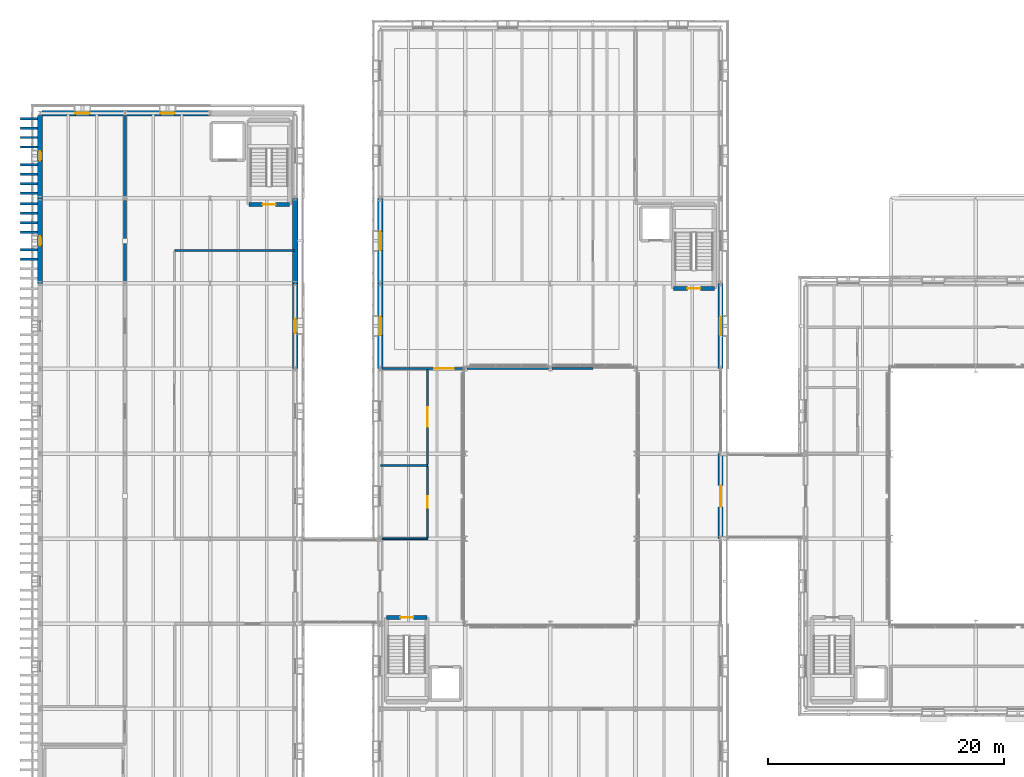
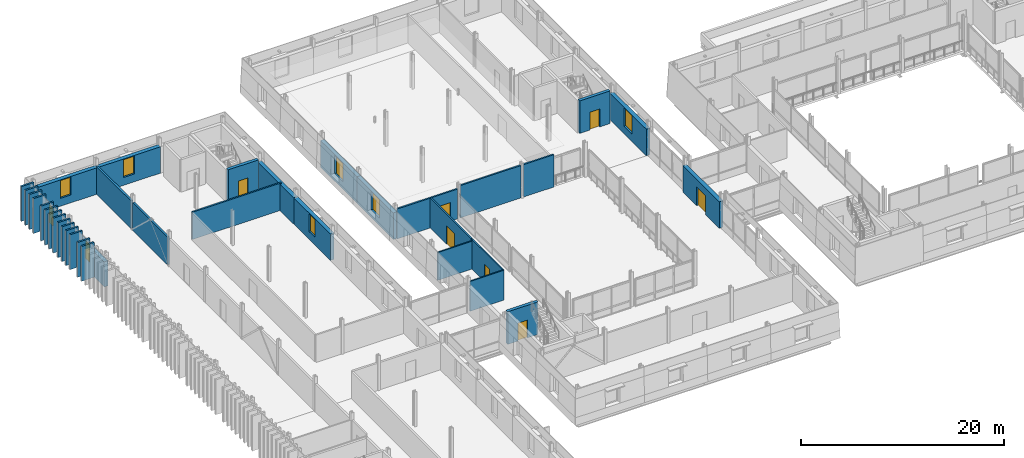
# One storey, part 71 of 115: 37 walls, 8 windows, 7 doors, 15 openings.
"""IFC4 building model written with IfcOpenShell, lengths in metres."""

from ifc_helpers import new_model, si_unit, direction, frame, frame_2d, origin, place, context, subcontext, project, spatial, rectangle, extrude, material, layer, layer_set, type_object, element, fill, save


model = new_model("IFC4")

# Units and contexts
model_context = context("Model", 3, precision=1e-05, world=origin(), true_north=direction((0.0, 1.0)))
body_context = subcontext(model_context, "Body", "Model", "MODEL_VIEW")
ifc_project = project(units=[si_unit("LENGTHUNIT", "METRE"), si_unit("AREAUNIT", "SQUARE_METRE"), si_unit("VOLUMEUNIT", "CUBIC_METRE"), si_unit("PLANEANGLEUNIT", "RADIAN"), si_unit("MASSUNIT", "GRAM", prefix="KILO")], contexts=[model_context])

# Site, building, storey
site_placement = place(None, origin())
site = spatial("IfcSite", under=ifc_project, at=site_placement, CompositionType="ELEMENT")
building_placement = place(site_placement, origin())
building = spatial("IfcBuilding", under=site, at=building_placement, Name="Narikvali Park Central Library", CompositionType="ELEMENT")
storey_placement = place(building_placement, frame((0.0, 0.0, 10.199951171875)))
storey = spatial("IfcBuildingStorey", under=building, at=storey_placement, Name="L02", CompositionType="ELEMENT", Elevation=10.199951171875)

# Walls
ifc_material_1 = material(Name="Reinforced Masonry Blockwork C30/37", Category="masonry")
ifc_layer_1 = layer(ifc_material_1, 0.219970703125, Name="Reinforced Masonry Blockwork C30/37")
ifc_layer_set_1 = layer_set([ifc_layer_1], Name="Reinforced Masonry Blockwork C30/37")
wall_type_1 = type_object("IfcWallType", Name="Archive Fire-Resisting Partition 220", PredefinedType="SOLIDWALL", material=ifc_layer_set_1)
wall_1_placement = place(storey_placement, frame((7.199951171875, 93.77392578125, 0.0), z_axis=(0.0, 0.0, 1.0), x_axis=(0.0, 1.0, 0.0)))
element("IfcWall", 1, at=wall_1_placement, inside=storey, type_object=wall_type_1, Name="Compact Mobile Shelving Stacks L02 Partition E", PredefinedType="SOLIDWALL", context=body_context, shape_type="SweptSolid", body=[
    extrude(rectangle(XDim=6.85205078125, YDim=0.219970703125, at=frame_2d((3.426025390625, 0.0))), origin(), (0.0, 0.0, 1.0), 3.344970703125),
])
wall_2_placement = place(storey_placement, frame((7.199951171875, 100.97412109375, 0.0), z_axis=(0.0, 0.0, 1.0), x_axis=(0.0, 1.0, 0.0)))
element("IfcWall", 2, at=wall_2_placement, inside=storey, type_object=wall_type_1, Name="Compact Mobile Shelving Stacks L02 Partition E", PredefinedType="SOLIDWALL", context=body_context, shape_type="SweptSolid", body=[
    extrude(rectangle(XDim=6.851806640625, YDim=0.219970703125, at=frame_2d((3.42578125, 0.0))), origin(), (0.0, 0.0, 1.0), 3.344970703125),
])
ifc_material_2 = material(Name="Kiln-Fired Terracotta Red Brick Masonry", Category="masonry")
ifc_layer_2 = layer(ifc_material_2, 0.199951171875, Name="Kiln-Fired Terracotta Red Brick Masonry")
ifc_layer_set_2 = layer_set([ifc_layer_2], Name="Kiln-Fired Terracotta Red Brick Masonry")
wall_type_2 = type_object("IfcWallType", Name="Kiln-Fired Red Brick Vertical Fin Wall 200", PredefinedType="SOLIDWALL", material=ifc_layer_set_2)
for number, where, z_axis, x_axis, name in (
    (3, (-1.659912109375, 95.64990234375, 0.0), (0.0, 0.0, 1.0), (1.0, 0.0, 0.0), "West Stacks Red Brick Vertical Fin Pier 423"),
    (4, (-1.659912109375, 96.449951171875, 0.0), (0.0, 0.0, 1.0), (1.0, 0.0, 0.0), "West Stacks Red Brick Vertical Fin Pier 429"),
    (5, (-1.659912109375, 97.949951171875, 0.0), (0.0, 0.0, 1.0), (1.0, 0.0, 0.0), "West Stacks Red Brick Vertical Fin Pier 435"),
    (6, (-1.659912109375, 98.75, 0.0), (0.0, 0.0, 1.0), (1.0, 0.0, 0.0), "West Stacks Red Brick Vertical Fin Pier 441"),
    (7, (-1.659912109375, 99.550048828125, 0.0), (0.0, 0.0, 1.0), (1.0, 0.0, 0.0), "West Stacks Red Brick Vertical Fin Pier 447"),
    (8, (-1.659912109375, 100.35009765625, 0.0), (0.0, 0.0, 1.0), (1.0, 0.0, 0.0), "West Stacks Red Brick Vertical Fin Pier 453"),
    (9, (-1.659912109375, 101.25, 0.0), (0.0, 0.0, 1.0), (1.0, 0.0, 0.0), "West Stacks Red Brick Vertical Fin Pier 459"),
    (10, (-1.659912109375, 102.050048828125, 0.0), (0.0, 0.0, 1.0), (1.0, 0.0, 0.0), "West Stacks Red Brick Vertical Fin Pier 465"),
    (11, (-1.659912109375, 102.85009765625, 0.0), (0.0, 0.0, 1.0), (1.0, 0.0, 0.0), "West Stacks Red Brick Vertical Fin Pier 471"),
    (12, (-1.659912109375, 103.64990234375, 0.0), (0.0, 0.0, 1.0), (1.0, 0.0, 0.0), "West Stacks Red Brick Vertical Fin Pier 477"),
    (13, (-1.659912109375, 105.14990234375, 0.0), (0.0, 0.0, 1.0), (1.0, 0.0, 0.0), "West Stacks Red Brick Vertical Fin Pier 483"),
    (14, (-1.659912109375, 105.949951171875, 0.0), (0.0, 0.0, 1.0), (1.0, 0.0, 0.0), "West Stacks Red Brick Vertical Fin Pier 489"),
    (15, (-1.659912109375, 106.75, 0.0), (0.0, 0.0, 1.0), (1.0, 0.0, 0.0), "West Stacks Red Brick Vertical Fin Pier 495"),
    (16, (-1.659912109375, 107.550048828125, 0.0), (0.0, 0.0, 1.0), (1.0, 0.0, 0.0), "West Stacks Red Brick Vertical Fin Pier 501"),
):
    element("IfcWall", number, at=place(storey_placement, frame(where, z_axis=z_axis, x_axis=x_axis)), inside=storey, type_object=wall_type_2, Name=name, PredefinedType="SOLIDWALL", context=body_context, shape_type="SweptSolid", body=[
        extrude(rectangle(XDim=1.43994140625, YDim=0.199951171875, at=frame_2d((0.719970703125, 0.0))), origin(), (0.0, 0.0, 1.0), 4.199951171875),
    ])
ifc_material_3 = material(Name="Moisture-Resistant Cement Board on Steel Studs", Category="steel")
ifc_layer_3 = layer(ifc_material_3, 0.14990234375, Name="Moisture-Resistant Cement Board on Steel Studs")
ifc_layer_set_3 = layer_set([ifc_layer_3], Name="Moisture-Resistant Cement Board on Steel Studs")
wall_type_3 = type_object("IfcWallType", Name="Moisture-Resistant WC Partition 150", PredefinedType="PARTITIONING", material=ifc_layer_set_3)
wall_3_placement = place(storey_placement, frame((28.9541015625, 72.0, 0.0), z_axis=(0.0, 0.0, 1.0), x_axis=(1.0, 0.0, 0.0)))
element("IfcWall", 17, at=wall_3_placement, inside=storey, type_object=wall_type_3, Name="Atrium Accessible WC L02 Partition S", PredefinedType="PARTITIONING", context=body_context, shape_type="SweptSolid", body=[
    extrude(rectangle(XDim=3.845947265625, YDim=0.14990234375, at=frame_2d((1.9228515625, 0.0))), origin(), (0.0, 0.0, 1.0), 3.594970703125),
])
wall_4_placement = place(storey_placement, frame((28.85498046875, 78.199951171875, 0.0), z_axis=(0.0, 0.0, 1.0), x_axis=(1.0, 0.0, 0.0)))
element("IfcWall", 18, at=wall_4_placement, inside=storey, type_object=wall_type_3, Name="Atrium Accessible WC L02 Partition N", PredefinedType="PARTITIONING", context=body_context, shape_type="SweptSolid", body=[
    extrude(rectangle(XDim=3.945068359375, YDim=0.14990234375, at=frame_2d((1.97265625, 0.0))), origin(), (0.0, 0.0, 1.0), 3.35498046875),
])

# Wall, opening, door
wall_5_placement = place(storey_placement, frame((32.800048828125, 72.076904296875, 0.0), z_axis=(0.0, 0.0, 1.0), x_axis=(0.0, 1.0, 0.0)))
wall_5 = element("IfcWall", 19, at=wall_5_placement, inside=storey, type_object=wall_type_3, Name="Atrium Accessible WC L02 Partition E", PredefinedType="PARTITIONING", context=body_context, shape_type="SweptSolid", body=[
    extrude(rectangle(XDim=6.046142578125, YDim=0.14990234375, at=frame_2d((3.02294921875, 0.0))), origin(), (0.0, 0.0, 1.0), 3.594970703125),
])
opening_1_placement = place(wall_5_placement, frame((2.532958984375, 0.0, 0.0)))
opening_1 = element("IfcOpeningElement", 20, at=opening_1_placement, cuts=wall_5, Name="Opening ID-0014", PredefinedType="OPENING", context=body_context, shape_type="SweptSolid", body=[
    extrude(rectangle(XDim=0.97998046875, YDim=2.10009765625, at=frame_2d((0.489990234375, 1.050048828125))), frame((0.0, 0.0869140625, 0.0), z_axis=(0.0, -1.0, 0.0), x_axis=(1.0, 0.0, 0.0)), (0.0, 0.0, 1.0), 0.173828125),
])
ifc_material_4 = material(Name="Laminate Faced Hardwood Core", Category="wood")
door_type_1 = type_object("IfcDoorType", Name="Accessible WC Outward-Opening Door 980x2100", OperationType="SINGLE_SWING_RIGHT", PredefinedType="DOOR", material=ifc_material_4)
door_1_placement = place(opening_1_placement, frame((0.97998046875, 0.0, 0.0), z_axis=(0.0, 0.0, 1.0), x_axis=(-1.0, 0.0, 0.0)))
door_1 = element("IfcDoor", 21, at=door_1_placement, inside=storey, type_object=door_type_1, Name="Atrium Accessible WC L02 Door ID-0014", OperationType="SINGLE_SWING_RIGHT", OverallHeight=2.10009765625, OverallWidth=0.97998046875, PredefinedType="DOOR", context=body_context, shape_type="SweptSolid", body=[
    extrude(rectangle(XDim=0.97998046875, YDim=2.10009765625, at=frame_2d((0.489990234375, 1.050048828125))), frame((0.0, 0.02490234375, 0.0), z_axis=(0.0, -1.0, 0.0), x_axis=(1.0, 0.0, 0.0)), (0.0, 0.0, 1.0), 0.050048828125),
])
fill(opening_1, door_1)

ifc_material_5 = material(Name="Acoustic Gypsum on Steel Studs", Category="steel")
ifc_layer_4 = layer(ifc_material_5, 0.179931640625, Name="Acoustic Gypsum on Steel Studs")
ifc_layer_set_4 = layer_set([ifc_layer_4], Name="Acoustic Gypsum on Steel Studs")
wall_type_4 = type_object("IfcWallType", Name="Reading Room Acoustic Partition 180", PredefinedType="PARTITIONING", material=ifc_layer_set_4)
wall_6_placement = place(storey_placement, frame((28.9541015625, 86.39990234375, 0.0), z_axis=(0.0, 0.0, 1.0), x_axis=(1.0, 0.0, 0.0)))
wall_6 = element("IfcWall", 22, at=wall_6_placement, inside=storey, type_object=wall_type_4, Name="Sciences and Arts Reading Room L02 Partition S", PredefinedType="PARTITIONING", context=body_context, shape_type="SweptSolid", body=[
    extrude(rectangle(XDim=6.891845703125, YDim=0.179931640625, at=frame_2d((3.44580078125, 0.0))), origin(), (0.0, 0.0, 1.0), 3.594970703125),
])
opening_2_placement = place(wall_6_placement, frame((4.424072265625, 0.0, 0.0)))
opening_2 = element("IfcOpeningElement", 23, at=opening_2_placement, cuts=wall_6, Name="Opening ID-0096", PredefinedType="OPENING", context=body_context, shape_type="SweptSolid", body=[
    extrude(rectangle(XDim=1.64990234375, YDim=2.25, at=frame_2d((0.824951171875, 1.125))), frame((0.0, 0.10205078125, 0.0), z_axis=(0.0, -1.0, 0.0), x_axis=(1.0, 0.0, 0.0)), (0.0, 0.0, 1.0), 0.203857421875),
])
ifc_material_6 = material(Name="Caucasian Oak and Tempered Glass", Category="glass")
door_type_2 = type_object("IfcDoorType", Name="Open Stacks Double Glazed Door 1650x2250", OperationType="DOUBLE_DOOR_SINGLE_SWING", PredefinedType="DOOR", material=ifc_material_6)
door_2_placement = place(opening_2_placement, origin())
door_2 = element("IfcDoor", 24, at=door_2_placement, inside=storey, type_object=door_type_2, Name="Sciences and Arts Reading Room L02 Door ID-0096", OperationType="DOUBLE_DOOR_SINGLE_SWING", OverallHeight=2.25, OverallWidth=1.64990234375, PredefinedType="DOOR", context=body_context, shape_type="SweptSolid", body=[
    extrude(rectangle(XDim=1.64990234375, YDim=2.25, at=frame_2d((0.824951171875, 1.125))), frame((0.0, 0.02490234375, 0.0), z_axis=(0.0, -1.0, 0.0), x_axis=(1.0, 0.0, 0.0)), (0.0, 0.0, 1.0), 0.050048828125),
])
fill(opening_2, door_2)

# Walls
wall_7_placement = place(storey_placement, frame((36.154052734375, 86.39990234375, 0.0), z_axis=(0.0, 0.0, 1.0), x_axis=(1.0, 0.0, 0.0)))
element("IfcWall", 25, at=wall_7_placement, inside=storey, type_object=wall_type_4, Name="Sciences and Arts Reading Room L02 Partition S", PredefinedType="PARTITIONING", context=body_context, shape_type="SweptSolid", body=[
    extrude(rectangle(XDim=6.891845703125, YDim=0.179931640625, at=frame_2d((3.44580078125, 0.0))), origin(), (0.0, 0.0, 1.0), 3.905029296875),
])
wall_8_placement = place(storey_placement, frame((43.35400390625, 86.39990234375, 0.0), z_axis=(0.0, 0.0, 1.0), x_axis=(1.0, 0.0, 0.0)))
element("IfcWall", 26, at=wall_8_placement, inside=storey, type_object=wall_type_4, Name="Sciences and Arts Reading Room L02 Partition S", PredefinedType="PARTITIONING", context=body_context, shape_type="SweptSolid", body=[
    extrude(rectangle(XDim=3.446044921875, YDim=0.179931640625, at=frame_2d((1.72314453125, 0.0))), origin(), (0.0, 0.0, 1.0), 3.905029296875),
])
wall_9_placement = place(storey_placement, frame((11.39990234375, 96.39990234375, 0.0), z_axis=(0.0, 0.0, 1.0), x_axis=(1.0, 0.0, 0.0)))
element("IfcWall", 27, at=wall_9_placement, inside=storey, type_object=wall_type_4, Name="Scholars Research Reading Room L02 Partition N", PredefinedType="PARTITIONING", context=body_context, shape_type="SweptSolid", body=[
    extrude(rectangle(XDim=10.14501953125, YDim=0.179931640625, at=frame_2d((5.072509765625, 0.0))), origin(), (0.0, 0.0, 1.0), 3.28515625),
])

# Wall, opening, door
wall_10_placement = place(storey_placement, frame((32.800048828125, 78.277099609375, 0.0), z_axis=(0.0, 0.0, 1.0), x_axis=(0.0, 1.0, 0.0)))
wall_10 = element("IfcWall", 28, at=wall_10_placement, inside=storey, type_object=wall_type_4, Name="Atrium Open Book Stacks L02 Partition E", PredefinedType="PARTITIONING", context=body_context, shape_type="SweptSolid", body=[
    extrude(rectangle(XDim=8.031005859375, YDim=0.179931640625, at=frame_2d((4.015625, 0.0))), origin(), (0.0, 0.0, 1.0), 3.594970703125),
])
opening_3_placement = place(wall_10_placement, frame((3.1904296875, 0.0, 0.0)))
opening_3 = element("IfcOpeningElement", 29, at=opening_3_placement, cuts=wall_10, Name="Opening ID-0098", PredefinedType="OPENING", context=body_context, shape_type="SweptSolid", body=[
    extrude(rectangle(XDim=1.64990234375, YDim=2.25, at=frame_2d((0.824951171875, 1.125))), frame((0.0, 0.10205078125, 0.0), z_axis=(0.0, -1.0, 0.0), x_axis=(1.0, 0.0, 0.0)), (0.0, 0.0, 1.0), 0.203857421875),
])
door_3_placement = place(opening_3_placement, origin())
door_3 = element("IfcDoor", 30, at=door_3_placement, inside=storey, type_object=door_type_2, Name="Atrium Open Book Stacks L02 Door ID-0098", OperationType="DOUBLE_DOOR_SINGLE_SWING", OverallHeight=2.25, OverallWidth=1.64990234375, PredefinedType="DOOR", context=body_context, shape_type="SweptSolid", body=[
    extrude(rectangle(XDim=1.64990234375, YDim=2.25, at=frame_2d((0.824951171875, 1.125))), frame((0.0, 0.02490234375, 0.0), z_axis=(0.0, -1.0, 0.0), x_axis=(1.0, 0.0, 0.0)), (0.0, 0.0, 1.0), 0.050048828125),
])
fill(opening_3, door_3)

ifc_material_7 = material(Name="Concrete C40/50", Category="concrete")
ifc_layer_5 = layer(ifc_material_7, 0.35009765625, Name="Concrete C40/50")
ifc_layer_set_5 = layer_set([ifc_layer_5], Name="Concrete C40/50")
wall_type_5 = type_object("IfcWallType", Name="Reinforced Concrete Core Shear Wall 350", PredefinedType="SHEAR", material=ifc_layer_set_5)
wall_11_placement = place(storey_placement, frame((32.77001953125, 65.320068359375, 0.0), z_axis=(0.0, 0.0, 1.0), x_axis=(-1.0, 0.0, 0.0)))
wall_11 = element("IfcWall", 31, at=wall_11_placement, inside=storey, type_object=wall_type_5, Name="C4A L02 Stair Core Shear Wall N", PredefinedType="SHEAR", context=body_context, shape_type="SweptSolid", body=[
    extrude(rectangle(XDim=3.43994140625, YDim=0.35009765625, at=frame_2d((1.719970703125, 0.0))), origin(), (0.0, 0.0, 1.0), 3.920166015625),
])
opening_4_placement = place(wall_11_placement, frame((1.169921875, 0.0, 0.0)))
opening_4 = element("IfcOpeningElement", 32, at=opening_4_placement, cuts=wall_11, Name="Opening SD-027", PredefinedType="OPENING", context=body_context, shape_type="SweptSolid", body=[
    extrude(rectangle(XDim=1.10009765625, YDim=2.14990234375, at=frame_2d((0.550048828125, 1.074951171875))), frame((0.0, 0.18701171875, 0.0), z_axis=(0.0, -1.0, 0.0), x_axis=(1.0, 0.0, 0.0)), (0.0, 0.0, 1.0), 0.3740234375),
])
ifc_material_8 = material(Name="Powder-Coated Steel S275 Fire Leaf", Category="steel")
door_type_3 = type_object("IfcDoorType", Name="Stair Core Smoke-Control Fire Door 1100x2150", OperationType="SINGLE_SWING_LEFT", PredefinedType="DOOR", material=ifc_material_8)
door_4_placement = place(opening_4_placement, frame((1.10009765625, 0.0, 0.0), z_axis=(0.0, 0.0, 1.0), x_axis=(-1.0, 0.0, 0.0)))
door_4 = element("IfcDoor", 33, at=door_4_placement, inside=storey, type_object=door_type_3, Name="ST-07 L02 Stair Exit Door SD-027", OperationType="SINGLE_SWING_LEFT", OverallHeight=2.14990234375, OverallWidth=1.10009765625, PredefinedType="DOOR", context=body_context, shape_type="SweptSolid", body=[
    extrude(rectangle(XDim=1.10009765625, YDim=2.14990234375, at=frame_2d((0.550048828125, 1.074951171875))), frame((0.0, 0.02490234375, 0.0), z_axis=(0.0, -1.0, 0.0), x_axis=(1.0, 0.0, 0.0)), (0.0, 0.0, 1.0), 0.050048828125),
])
fill(opening_4, door_4)

wall_12_placement = place(storey_placement, frame((53.6298828125, 93.179931640625, 0.0), z_axis=(0.0, 0.0, 1.0), x_axis=(1.0, 0.0, 0.0)))
wall_12 = element("IfcWall", 34, at=wall_12_placement, inside=storey, type_object=wall_type_5, Name="C4B L02 Stair Core Shear Wall S", PredefinedType="SHEAR", context=body_context, shape_type="SweptSolid", body=[
    extrude(rectangle(XDim=3.440185546875, YDim=0.35009765625, at=frame_2d((1.72021484375, 0.0))), origin(), (0.0, 0.0, 1.0), 3.920166015625),
])
opening_5_placement = place(wall_12_placement, frame((1.169921875, 0.0, 0.0)))
opening_5 = element("IfcOpeningElement", 35, at=opening_5_placement, cuts=wall_12, Name="Opening SD-033", PredefinedType="OPENING", context=body_context, shape_type="SweptSolid", body=[
    extrude(rectangle(XDim=1.10009765625, YDim=2.14990234375, at=frame_2d((0.550048828125, 1.074951171875))), frame((0.0, 0.18701171875, 0.0), z_axis=(0.0, -1.0, 0.0), x_axis=(1.0, 0.0, 0.0)), (0.0, 0.0, 1.0), 0.3740234375),
])
door_5_placement = place(opening_5_placement, frame((1.10009765625, 0.0, 0.0), z_axis=(0.0, 0.0, 1.0), x_axis=(-1.0, 0.0, 0.0)))
door_5 = element("IfcDoor", 36, at=door_5_placement, inside=storey, type_object=door_type_3, Name="ST-08 L02 Stair Exit Door SD-033", OperationType="SINGLE_SWING_LEFT", OverallHeight=2.14990234375, OverallWidth=1.10009765625, PredefinedType="DOOR", context=body_context, shape_type="SweptSolid", body=[
    extrude(rectangle(XDim=1.10009765625, YDim=2.14990234375, at=frame_2d((0.550048828125, 1.074951171875))), frame((0.0, 0.02490234375, 0.0), z_axis=(0.0, -1.0, 0.0), x_axis=(1.0, 0.0, 0.0)), (0.0, 0.0, 1.0), 0.050048828125),
])
fill(opening_5, door_5)

wall_13_placement = place(storey_placement, frame((17.679931640625, 100.280029296875, 0.0), z_axis=(0.0, 0.0, 1.0), x_axis=(1.0, 0.0, 0.0)))
wall_13 = element("IfcWall", 37, at=wall_13_placement, inside=storey, type_object=wall_type_5, Name="C5B L02 Stair Core Shear Wall S", PredefinedType="SHEAR", context=body_context, shape_type="SweptSolid", body=[
    extrude(rectangle(XDim=3.440185546875, YDim=0.35009765625, at=frame_2d((1.72021484375, 0.0))), origin(), (0.0, 0.0, 1.0), 3.900146484375),
])
opening_6_placement = place(wall_13_placement, frame((1.169921875, 0.0, 0.0)))
opening_6 = element("IfcOpeningElement", 38, at=opening_6_placement, cuts=wall_13, Name="Opening SD-053", PredefinedType="OPENING", context=body_context, shape_type="SweptSolid", body=[
    extrude(rectangle(XDim=1.10009765625, YDim=2.14990234375, at=frame_2d((0.550048828125, 1.074951171875))), frame((0.0, 0.18701171875, 0.0), z_axis=(0.0, -1.0, 0.0), x_axis=(1.0, 0.0, 0.0)), (0.0, 0.0, 1.0), 0.3740234375),
])
door_6_placement = place(opening_6_placement, frame((1.10009765625, 0.0, 0.0), z_axis=(0.0, 0.0, 1.0), x_axis=(-1.0, 0.0, 0.0)))
door_6 = element("IfcDoor", 39, at=door_6_placement, inside=storey, type_object=door_type_3, Name="ST-10 L02 Stair Exit Door SD-053", OperationType="SINGLE_SWING_LEFT", OverallHeight=2.14990234375, OverallWidth=1.10009765625, PredefinedType="DOOR", context=body_context, shape_type="SweptSolid", body=[
    extrude(rectangle(XDim=1.10009765625, YDim=2.14990234375, at=frame_2d((0.550048828125, 1.074951171875))), frame((0.0, 0.02490234375, 0.0), z_axis=(0.0, -1.0, 0.0), x_axis=(1.0, 0.0, 0.0)), (0.0, 0.0, 1.0), 0.050048828125),
])
fill(opening_6, door_6)

ifc_material_9 = material(Name="White Honed Limestone over Concrete C35/45", Category="masonry")
ifc_layer_6 = layer(ifc_material_9, 0.43994140625, Name="White Honed Limestone over Concrete C35/45")
ifc_layer_set_6 = layer_set([ifc_layer_6], Name="White Honed Limestone over Concrete C35/45")
wall_type_6 = type_object("IfcWallType", Name="White Limestone Battered Tier2 Wall 440", PredefinedType="SOLIDWALL", material=ifc_layer_set_6)
wall_14_placement = place(storey_placement, frame((57.60009765625, 72.0, 0.0), z_axis=(0.0, 0.0, 1.0), x_axis=(0.0, 1.0, 0.0)))
wall_14 = element("IfcWall", 40, at=wall_14_placement, inside=storey, type_object=wall_type_6, Name="V4 L02 E Exterior Limestone Wall B04", PredefinedType="SOLIDWALL", context=body_context, shape_type="SweptSolid", body=[
    extrude(rectangle(XDim=7.199951171875, YDim=0.43994140625, at=frame_2d((3.60009765625, 0.0))), origin(), (0.0, 0.0, 1.0), 3.199951171875),
])
opening_7_placement = place(wall_14_placement, frame((2.699951171875, 0.0, 0.0)))
opening_7 = element("IfcOpeningElement", 41, at=opening_7_placement, cuts=wall_14, Name="Opening BD-034", PredefinedType="OPENING", context=body_context, shape_type="SweptSolid", body=[
    extrude(rectangle(XDim=1.800048828125, YDim=2.300048828125, at=frame_2d((0.89990234375, 1.14990234375))), frame((0.0, 0.23193359375, 0.0), z_axis=(0.0, -1.0, 0.0), x_axis=(1.0, 0.0, 0.0)), (0.0, 0.0, 1.0), 0.4638671875),
])
ifc_material_10 = material(Name="Fire-Rated Glazing in Steel S275 Frame", Category="steel")
door_type_4 = type_object("IfcDoorType", Name="Glazed Double Corridor Bridge Fire Door 1800x2300", OperationType="DOUBLE_DOOR_SINGLE_SWING", PredefinedType="DOOR", material=ifc_material_10)
door_7_placement = place(opening_7_placement, origin())
door_7 = element("IfcDoor", 42, at=door_7_placement, inside=storey, type_object=door_type_4, Name="V4 L02 Covered Bridge Fire Door BD-034", OperationType="DOUBLE_DOOR_SINGLE_SWING", OverallHeight=2.300048828125, OverallWidth=1.800048828125, PredefinedType="DOOR", context=body_context, shape_type="SweptSolid", body=[
    extrude(rectangle(XDim=1.800048828125, YDim=2.300048828125, at=frame_2d((0.89990234375, 1.14990234375))), frame((0.0, 0.02490234375, 0.0), z_axis=(0.0, -1.0, 0.0), x_axis=(1.0, 0.0, 0.0)), (0.0, 0.0, 1.0), 0.050048828125),
])
fill(opening_7, door_7)

# Wall, opening, window
wall_15_placement = place(storey_placement, frame((57.60009765625, 86.39990234375, 0.0), z_axis=(0.0, 0.0, 1.0), x_axis=(0.0, 1.0, 0.0)))
wall_15 = element("IfcWall", 43, at=wall_15_placement, inside=storey, type_object=wall_type_6, Name="V4 L02 E Exterior Limestone Wall B06", PredefinedType="SOLIDWALL", context=body_context, shape_type="SweptSolid", body=[
    extrude(rectangle(XDim=7.2001953125, YDim=0.43994140625, at=frame_2d((3.60009765625, 0.0))), origin(), (0.0, 0.0, 1.0), 3.199951171875),
])
opening_8_placement = place(wall_15_placement, frame((2.800048828125, 0.0, 0.919921875)))
opening_8 = element("IfcOpeningElement", 44, at=opening_8_placement, cuts=wall_15, Name="Opening WIN-0170", PredefinedType="OPENING", context=body_context, shape_type="SweptSolid", body=[
    extrude(rectangle(XDim=1.60009765625, YDim=2.199951171875, at=frame_2d((0.800048828125, 1.10009765625))), frame((0.0, 0.23193359375, 0.0), z_axis=(0.0, -1.0, 0.0), x_axis=(1.0, 0.0, 0.0)), (0.0, 0.0, 1.0), 0.4638671875),
])
ifc_material_11 = material(Name="Anodised Bronze Aluminium and Low-E Triple Glazing", Category="aluminium")
window_type_1 = type_object("IfcWindowType", Name="Atrium Reading Wing Classical Window 1600x2200", PartitioningType="DOUBLE_PANEL_VERTICAL", PredefinedType="WINDOW", material=ifc_material_11)
window_1_placement = place(opening_8_placement, origin())
window_1 = element("IfcWindow", 45, at=window_1_placement, inside=storey, type_object=window_type_1, Name="V4 L02 E Deep-Reveal Window WIN-0170", OverallHeight=2.199951171875, OverallWidth=1.60009765625, PartitioningType="SINGLE_PANEL", PredefinedType="WINDOW", context=body_context, shape_type="SweptSolid", body=[
    extrude(rectangle(XDim=1.60009765625, YDim=2.199951171875, at=frame_2d((0.800048828125, 1.10009765625))), frame((0.0, 0.030029296875, 0.0), z_axis=(0.0, -1.0, 0.0), x_axis=(1.0, 0.0, 0.0)), (0.0, 0.0, 1.0), 0.06005859375),
])
fill(opening_8, window_1)

wall_16_placement = place(storey_placement, frame((28.800048828125, 100.800048828125, 0.0), z_axis=(0.0, 0.0, 1.0), x_axis=(0.0, -1.0, 0.0)))
wall_16 = element("IfcWall", 46, at=wall_16_placement, inside=storey, type_object=wall_type_6, Name="V4 L02 W Exterior Limestone Wall B03", PredefinedType="SOLIDWALL", context=body_context, shape_type="SweptSolid", body=[
    extrude(rectangle(XDim=7.199951171875, YDim=0.43994140625, at=frame_2d((3.60009765625, 0.0))), origin(), (0.0, 0.0, 1.0), 3.199951171875),
])
opening_9_placement = place(wall_16_placement, frame((2.800048828125, 0.0, 0.919921875)))
opening_9 = element("IfcOpeningElement", 47, at=opening_9_placement, cuts=wall_16, Name="Opening WIN-0179", PredefinedType="OPENING", context=body_context, shape_type="SweptSolid", body=[
    extrude(rectangle(XDim=1.60009765625, YDim=2.199951171875, at=frame_2d((0.800048828125, 1.10009765625))), frame((0.0, 0.23193359375, 0.0), z_axis=(0.0, -1.0, 0.0), x_axis=(1.0, 0.0, 0.0)), (0.0, 0.0, 1.0), 0.4638671875),
])
window_2_placement = place(opening_9_placement, origin())
window_2 = element("IfcWindow", 48, at=window_2_placement, inside=storey, type_object=window_type_1, Name="V4 L02 W Deep-Reveal Window WIN-0179", OverallHeight=2.199951171875, OverallWidth=1.60009765625, PartitioningType="SINGLE_PANEL", PredefinedType="WINDOW", context=body_context, shape_type="SweptSolid", body=[
    extrude(rectangle(XDim=1.60009765625, YDim=2.199951171875, at=frame_2d((0.800048828125, 1.10009765625))), frame((0.0, 0.030029296875, 0.0), z_axis=(0.0, -1.0, 0.0), x_axis=(1.0, 0.0, 0.0)), (0.0, 0.0, 1.0), 0.06005859375),
])
fill(opening_9, window_2)

wall_17_placement = place(storey_placement, frame((28.800048828125, 93.60009765625, 0.0), z_axis=(0.0, 0.0, 1.0), x_axis=(0.0, -1.0, 0.0)))
wall_17 = element("IfcWall", 49, at=wall_17_placement, inside=storey, type_object=wall_type_6, Name="V4 L02 W Exterior Limestone Wall B04", PredefinedType="SOLIDWALL", context=body_context, shape_type="SweptSolid", body=[
    extrude(rectangle(XDim=7.2001953125, YDim=0.43994140625, at=frame_2d((3.60009765625, 0.0))), origin(), (0.0, 0.0, 1.0), 3.199951171875),
])
opening_10_placement = place(wall_17_placement, frame((2.800048828125, 0.0, 0.919921875)))
opening_10 = element("IfcOpeningElement", 50, at=opening_10_placement, cuts=wall_17, Name="Opening WIN-0180", PredefinedType="OPENING", context=body_context, shape_type="SweptSolid", body=[
    extrude(rectangle(XDim=1.60009765625, YDim=2.199951171875, at=frame_2d((0.800048828125, 1.10009765625))), frame((0.0, 0.23193359375, 0.0), z_axis=(0.0, -1.0, 0.0), x_axis=(1.0, 0.0, 0.0)), (0.0, 0.0, 1.0), 0.4638671875),
])
window_3_placement = place(opening_10_placement, origin())
window_3 = element("IfcWindow", 51, at=window_3_placement, inside=storey, type_object=window_type_1, Name="V4 L02 W Deep-Reveal Window WIN-0180", OverallHeight=2.199951171875, OverallWidth=1.60009765625, PartitioningType="SINGLE_PANEL", PredefinedType="WINDOW", context=body_context, shape_type="SweptSolid", body=[
    extrude(rectangle(XDim=1.60009765625, YDim=2.199951171875, at=frame_2d((0.800048828125, 1.10009765625))), frame((0.0, 0.030029296875, 0.0), z_axis=(0.0, -1.0, 0.0), x_axis=(1.0, 0.0, 0.0)), (0.0, 0.0, 1.0), 0.06005859375),
])
fill(opening_10, window_3)

wall_18_placement = place(storey_placement, frame((21.60009765625, 86.39990234375, 0.0), z_axis=(0.0, 0.0, 1.0), x_axis=(0.0, 1.0, 0.0)))
wall_18 = element("IfcWall", 52, at=wall_18_placement, inside=storey, type_object=wall_type_6, Name="V5 L02 E Exterior Limestone Wall B09", PredefinedType="SOLIDWALL", context=body_context, shape_type="SweptSolid", body=[
    extrude(rectangle(XDim=7.2001953125, YDim=0.43994140625, at=frame_2d((3.60009765625, 0.0))), origin(), (0.0, 0.0, 1.0), 3.179931640625),
])
opening_11_placement = place(wall_18_placement, frame((3.0, 0.0, 0.949951171875)))
opening_11 = element("IfcOpeningElement", 53, at=opening_11_placement, cuts=wall_18, Name="Opening WIN-0270", PredefinedType="OPENING", context=body_context, shape_type="SweptSolid", body=[
    extrude(rectangle(XDim=1.199951171875, YDim=2.14990234375, at=frame_2d((0.60009765625, 1.074951171875))), frame((0.0, 0.23193359375, 0.0), z_axis=(0.0, -1.0, 0.0), x_axis=(1.0, 0.0, 0.0)), (0.0, 0.0, 1.0), 0.4638671875),
])
window_type_2 = type_object("IfcWindowType", Name="Stacks Archive Deep-Reveal Punched Window 1200x2150", PartitioningType="SINGLE_PANEL", PredefinedType="WINDOW", material=ifc_material_11)
window_4_placement = place(opening_11_placement, origin())
window_4 = element("IfcWindow", 54, at=window_4_placement, inside=storey, type_object=window_type_2, Name="V5 L02 E Deep-Reveal Window WIN-0270", OverallHeight=2.14990234375, OverallWidth=1.199951171875, PartitioningType="SINGLE_PANEL", PredefinedType="WINDOW", context=body_context, shape_type="SweptSolid", body=[
    extrude(rectangle(XDim=1.199951171875, YDim=2.14990234375, at=frame_2d((0.60009765625, 1.074951171875))), frame((0.0, 0.030029296875, 0.0), z_axis=(0.0, -1.0, 0.0), x_axis=(1.0, 0.0, 0.0)), (0.0, 0.0, 1.0), 0.06005859375),
])
fill(opening_11, window_4)

# Wall
wall_19_placement = place(storey_placement, frame((21.60009765625, 93.60009765625, 0.0), z_axis=(0.0, 0.0, 1.0), x_axis=(0.0, 1.0, 0.0)))
element("IfcWall", 55, at=wall_19_placement, inside=storey, type_object=wall_type_6, Name="V5 L02 E Exterior Limestone Wall B10", PredefinedType="SOLIDWALL", context=body_context, shape_type="SweptSolid", body=[
    extrude(rectangle(XDim=7.199951171875, YDim=0.43994140625, at=frame_2d((3.60009765625, 0.0))), origin(), (0.0, 0.0, 1.0), 3.179931640625),
])

# Wall, opening, window
wall_20_placement = place(storey_placement, frame((14.39990234375, 108.0, 0.0), z_axis=(0.0, 0.0, 1.0), x_axis=(-1.0, 0.0, 0.0)))
wall_20 = element("IfcWall", 56, at=wall_20_placement, inside=storey, type_object=wall_type_6, Name="V5 L02 N Exterior Limestone Wall B02", PredefinedType="SOLIDWALL", context=body_context, shape_type="SweptSolid", body=[
    extrude(rectangle(XDim=7.199951171875, YDim=0.43994140625, at=frame_2d((3.60009765625, 0.0))), origin(), (0.0, 0.0, 1.0), 3.179931640625),
])
opening_12_placement = place(wall_20_placement, frame((3.0, 0.0, 0.949951171875)))
opening_12 = element("IfcOpeningElement", 57, at=opening_12_placement, cuts=wall_20, Name="Opening WIN-0272", PredefinedType="OPENING", context=body_context, shape_type="SweptSolid", body=[
    extrude(rectangle(XDim=1.199951171875, YDim=2.14990234375, at=frame_2d((0.60009765625, 1.074951171875))), frame((0.0, 0.23193359375, 0.0), z_axis=(0.0, -1.0, 0.0), x_axis=(1.0, 0.0, 0.0)), (0.0, 0.0, 1.0), 0.4638671875),
])
window_5_placement = place(opening_12_placement, origin())
window_5 = element("IfcWindow", 58, at=window_5_placement, inside=storey, type_object=window_type_2, Name="V5 L02 N Deep-Reveal Window WIN-0272", OverallHeight=2.14990234375, OverallWidth=1.199951171875, PartitioningType="SINGLE_PANEL", PredefinedType="WINDOW", context=body_context, shape_type="SweptSolid", body=[
    extrude(rectangle(XDim=1.199951171875, YDim=2.14990234375, at=frame_2d((0.60009765625, 1.074951171875))), frame((0.0, 0.030029296875, 0.0), z_axis=(0.0, -1.0, 0.0), x_axis=(1.0, 0.0, 0.0)), (0.0, 0.0, 1.0), 0.06005859375),
])
fill(opening_12, window_5)

wall_21_placement = place(storey_placement, frame((7.199951171875, 108.0, 0.0), z_axis=(0.0, 0.0, 1.0), x_axis=(-1.0, 0.0, 0.0)))
wall_21 = element("IfcWall", 59, at=wall_21_placement, inside=storey, type_object=wall_type_6, Name="V5 L02 N Exterior Limestone Wall B03", PredefinedType="SOLIDWALL", context=body_context, shape_type="SweptSolid", body=[
    extrude(rectangle(XDim=7.041015625, YDim=0.43994140625, at=frame_2d((3.5205078125, 0.0))), origin(), (0.0, 0.0, 1.0), 3.179931640625),
])
opening_13_placement = place(wall_21_placement, frame((3.0, 0.0, 0.949951171875)))
opening_13 = element("IfcOpeningElement", 60, at=opening_13_placement, cuts=wall_21, Name="Opening WIN-0273", PredefinedType="OPENING", context=body_context, shape_type="SweptSolid", body=[
    extrude(rectangle(XDim=1.199951171875, YDim=2.14990234375, at=frame_2d((0.60009765625, 1.074951171875))), frame((0.0, 0.23193359375, 0.0), z_axis=(0.0, -1.0, 0.0), x_axis=(1.0, 0.0, 0.0)), (0.0, 0.0, 1.0), 0.4638671875),
])
window_6_placement = place(opening_13_placement, origin())
window_6 = element("IfcWindow", 61, at=window_6_placement, inside=storey, type_object=window_type_2, Name="V5 L02 N Deep-Reveal Window WIN-0273", OverallHeight=2.14990234375, OverallWidth=1.199951171875, PartitioningType="SINGLE_PANEL", PredefinedType="WINDOW", context=body_context, shape_type="SweptSolid", body=[
    extrude(rectangle(XDim=1.199951171875, YDim=2.14990234375, at=frame_2d((0.60009765625, 1.074951171875))), frame((0.0, 0.030029296875, 0.0), z_axis=(0.0, -1.0, 0.0), x_axis=(1.0, 0.0, 0.0)), (0.0, 0.0, 1.0), 0.06005859375),
])
fill(opening_13, window_6)

wall_22_placement = place(storey_placement, frame((0.0, 107.825927734375, 0.0), z_axis=(0.0, 0.0, 1.0), x_axis=(0.0, -1.0, 0.0)))
wall_22 = element("IfcWall", 62, at=wall_22_placement, inside=storey, type_object=wall_type_6, Name="V5 L02 W Exterior Limestone Wall B01", PredefinedType="SOLIDWALL", context=body_context, shape_type="SweptSolid", body=[
    extrude(rectangle(XDim=7.02587890625, YDim=0.43994140625, at=frame_2d((3.512939453125, 0.0))), origin(), (0.0, 0.0, 1.0), 3.02001953125),
])
opening_14_placement = place(wall_22_placement, frame((3.02587890625, 0.0, 0.949951171875)))
opening_14 = element("IfcOpeningElement", 63, at=opening_14_placement, cuts=wall_22, Name="Opening WIN-0274", PredefinedType="OPENING", context=body_context, shape_type="SweptSolid", body=[
    extrude(rectangle(XDim=0.800048828125, YDim=2.14990234375, at=frame_2d((0.39990234375, 1.074951171875))), frame((0.0, 0.23193359375, 0.0), z_axis=(0.0, -1.0, 0.0), x_axis=(1.0, 0.0, 0.0)), (0.0, 0.0, 1.0), 0.4638671875),
])
window_type_3 = type_object("IfcWindowType", Name="West Fin-Bay Narrow Carrel Slot Window 800x2150", PartitioningType="SINGLE_PANEL", PredefinedType="WINDOW", material=ifc_material_11)
window_7_placement = place(opening_14_placement, origin())
window_7 = element("IfcWindow", 64, at=window_7_placement, inside=storey, type_object=window_type_3, Name="V5 L02 W Deep-Reveal Window WIN-0274", OverallHeight=2.14990234375, OverallWidth=0.800048828125, PartitioningType="SINGLE_PANEL", PredefinedType="WINDOW", context=body_context, shape_type="SweptSolid", body=[
    extrude(rectangle(XDim=0.800048828125, YDim=2.14990234375, at=frame_2d((0.39990234375, 1.074951171875))), frame((0.0, 0.030029296875, 0.0), z_axis=(0.0, -1.0, 0.0), x_axis=(1.0, 0.0, 0.0)), (0.0, 0.0, 1.0), 0.06005859375),
])
fill(opening_14, window_7)

wall_23_placement = place(storey_placement, frame((0.0, 100.800048828125, 0.0), z_axis=(0.0, 0.0, 1.0), x_axis=(0.0, -1.0, 0.0)))
wall_23 = element("IfcWall", 65, at=wall_23_placement, inside=storey, type_object=wall_type_6, Name="V5 L02 W Exterior Limestone Wall B02", PredefinedType="SOLIDWALL", context=body_context, shape_type="SweptSolid", body=[
    extrude(rectangle(XDim=7.199951171875, YDim=0.43994140625, at=frame_2d((3.60009765625, 0.0))), origin(), (0.0, 0.0, 1.0), 3.02001953125),
])
opening_15_placement = place(wall_23_placement, frame((3.199951171875, 0.0, 0.949951171875)))
opening_15 = element("IfcOpeningElement", 66, at=opening_15_placement, cuts=wall_23, Name="Opening WIN-0275", PredefinedType="OPENING", context=body_context, shape_type="SweptSolid", body=[
    extrude(rectangle(XDim=0.800048828125, YDim=2.14990234375, at=frame_2d((0.39990234375, 1.074951171875))), frame((0.0, 0.23193359375, 0.0), z_axis=(0.0, -1.0, 0.0), x_axis=(1.0, 0.0, 0.0)), (0.0, 0.0, 1.0), 0.4638671875),
])
window_8_placement = place(opening_15_placement, origin())
window_8 = element("IfcWindow", 67, at=window_8_placement, inside=storey, type_object=window_type_3, Name="V5 L02 W Deep-Reveal Window WIN-0275", OverallHeight=2.14990234375, OverallWidth=0.800048828125, PartitioningType="SINGLE_PANEL", PredefinedType="WINDOW", context=body_context, shape_type="SweptSolid", body=[
    extrude(rectangle(XDim=0.800048828125, YDim=2.14990234375, at=frame_2d((0.39990234375, 1.074951171875))), frame((0.0, 0.030029296875, 0.0), z_axis=(0.0, -1.0, 0.0), x_axis=(1.0, 0.0, 0.0)), (0.0, 0.0, 1.0), 0.06005859375),
])
fill(opening_15, window_8)

save(model, "model.ifc")
